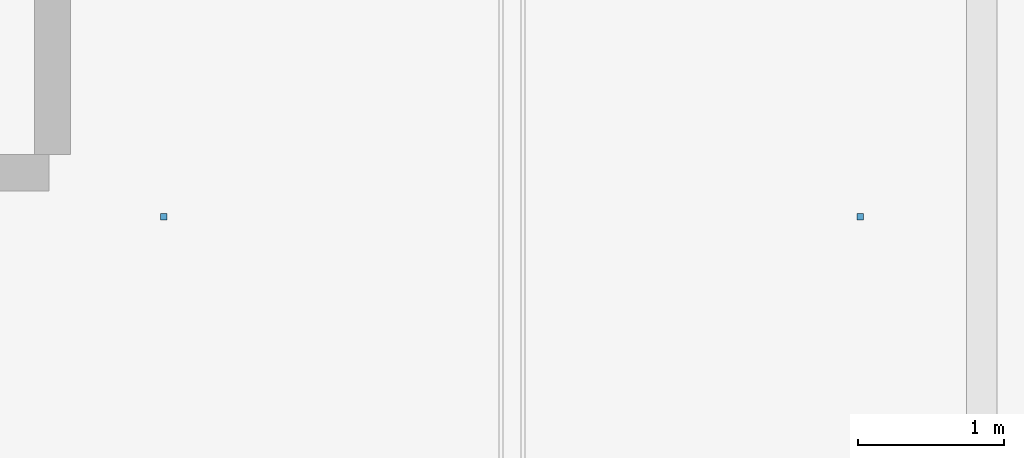
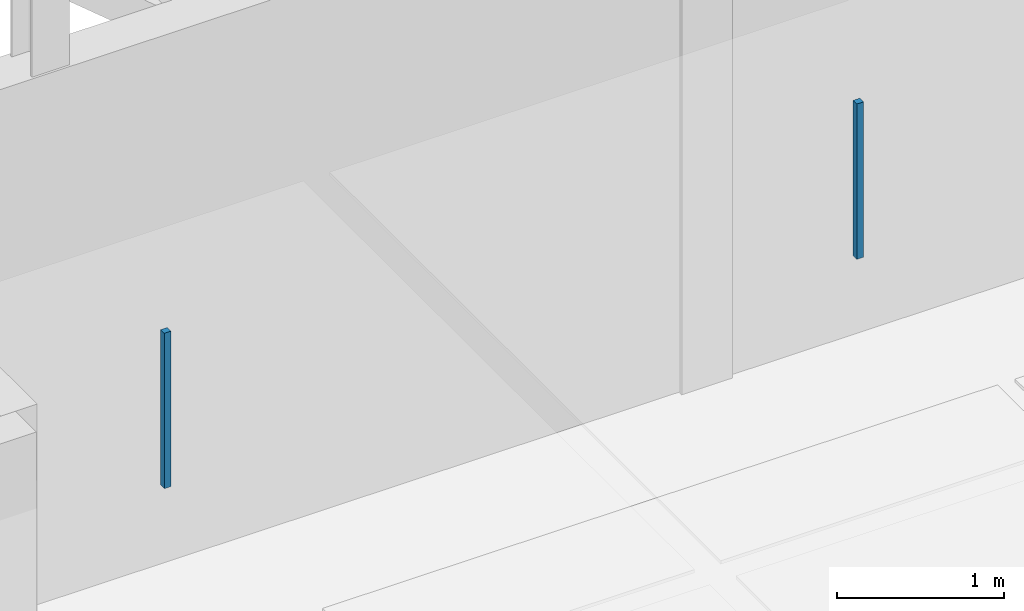
# One storey, part 48 of 66: 2 discrete accessories.
"""IFC4 building model written with IfcOpenShell, lengths in metres."""

from ifc_helpers import new_model, si_unit, direction, frame, origin, origin_2d, place, context, subcontext, project, spatial, rectangle, extrude, material, type_object, element, save


model = new_model("IFC4")

# Units and contexts
model_context = context("Model", 3, precision=1e-05, world=origin(), true_north=direction((0.0, 1.0)))
body_context = subcontext(model_context, "Body", "Model", "MODEL_VIEW")
ifc_project = project(units=[si_unit("LENGTHUNIT", "METRE"), si_unit("AREAUNIT", "SQUARE_METRE"), si_unit("VOLUMEUNIT", "CUBIC_METRE"), si_unit("PLANEANGLEUNIT", "RADIAN"), si_unit("MASSUNIT", "GRAM", prefix="KILO"), si_unit("THERMODYNAMICTEMPERATUREUNIT", "KELVIN"), si_unit("POWERUNIT", "WATT")], contexts=[model_context])

# Site, building, storey
site_placement = place(None, origin())
site = spatial("IfcSite", under=ifc_project, at=site_placement, CompositionType="ELEMENT")
building_placement = place(site_placement, origin())
building = spatial("IfcBuilding", under=site, at=building_placement, Name="Tallowbark Science Centre", CompositionType="ELEMENT")
storey_placement = place(building_placement, frame((0.0, 0.0, 18.89990234375)))
storey = spatial("IfcBuildingStorey", under=building, at=storey_placement, Name="L04", CompositionType="ELEMENT", Elevation=18.89990234375)

# Discrete accessories
ifc_material = material(Name="Galvanised Steel Grade C350L0 (350 MPa)", Category="steel")
discrete_accessory_type = type_object("IfcDiscreteAccessoryType", Name="ACC-CLG-HNG", PredefinedType="BRACKET", material=ifc_material)
for number, where, z_axis, x_axis, name in (
    (1, (61.888916015625, 37.0712890625, 3.20947265625), (0.0, 0.0, 1.0), (1.0, 0.0, 0.0), "Ceiling Hanger Bracket L04-1072"),
    (2, (66.666748046875, 37.0712890625, 3.20947265625), (0.0, 0.0, 1.0), (1.0, 0.0, 0.0), "Ceiling Hanger Bracket L04-1077"),
):
    element("IfcDiscreteAccessory", number, at=place(storey_placement, frame(where, z_axis=z_axis, x_axis=x_axis)), inside=storey, type_object=discrete_accessory_type, Name=name, PredefinedType="BRACKET", context=body_context, shape_type="SweptSolid", body=[
        extrude(rectangle(XDim=0.044921875, YDim=0.044921875, at=origin_2d()), origin(), (0.0, 0.0, 1.0), 1.133544921875),
    ])

save(model, "model.ifc")
